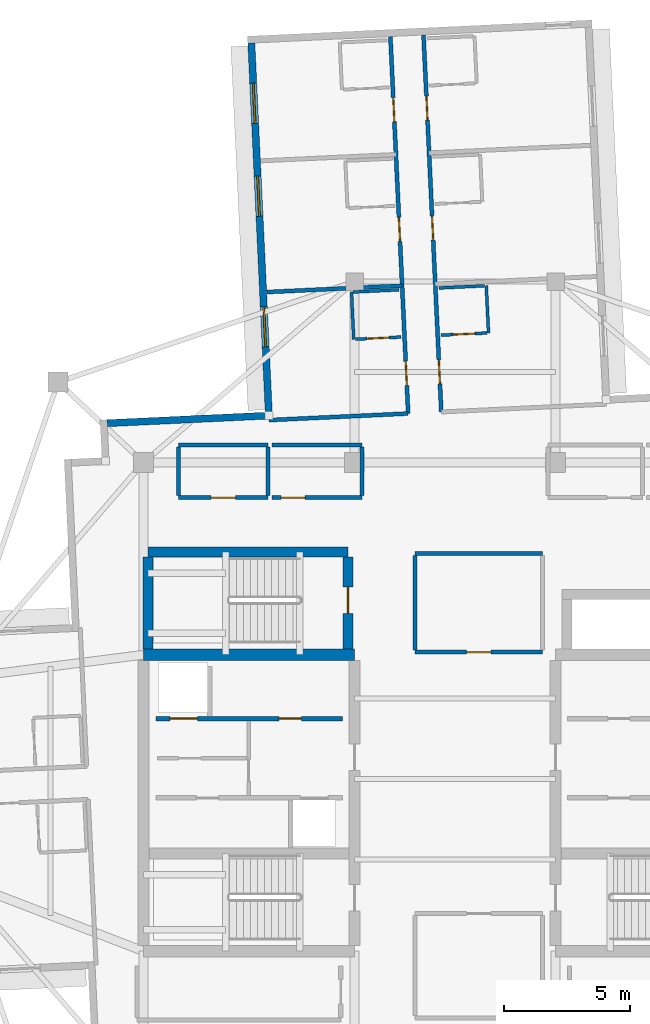
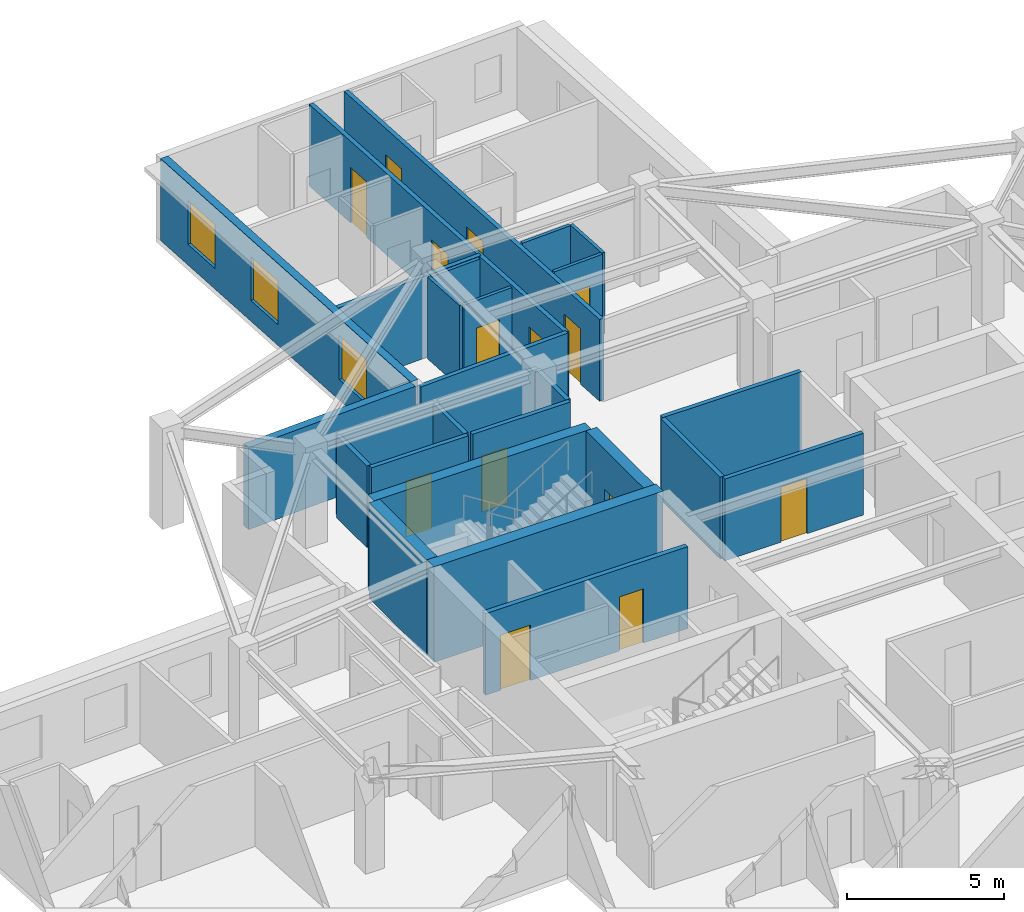
# One storey, part 7 of 13: 27 walls, 14 doors, 3 windows, 17 openings.
"""IFC4 building model written with IfcOpenShell, lengths in metres."""

from ifc_helpers import new_model, si_unit, direction, frame, frame_2d, origin, place, context, subcontext, project, spatial, rectangle, extrude, material, layer, layer_set, type_object, element, fill, save


model = new_model("IFC4")

# Units and contexts
model_context = context("Model", 3, precision=1e-05, world=origin(), true_north=direction((0.0, 1.0)))
body_context = subcontext(model_context, "Body", "Model", "MODEL_VIEW")
ifc_project = project(units=[si_unit("LENGTHUNIT", "METRE"), si_unit("AREAUNIT", "SQUARE_METRE"), si_unit("VOLUMEUNIT", "CUBIC_METRE"), si_unit("PLANEANGLEUNIT", "RADIAN"), si_unit("MASSUNIT", "GRAM", prefix="KILO")], contexts=[model_context])

# Site, building, storey
site_placement = place(None, origin())
site = spatial("IfcSite", under=ifc_project, at=site_placement, CompositionType="ELEMENT")
building_placement = place(site_placement, origin())
building = spatial("IfcBuilding", under=site, at=building_placement, Name="Qingluan Cross Belvedere", CompositionType="ELEMENT")
storey_placement = place(building_placement, frame((0.0, 0.0, 277.199951171875)))
storey = spatial("IfcBuildingStorey", under=building, at=storey_placement, Name="L69", CompositionType="ELEMENT", Elevation=277.199951171875)

# Walls
ifc_material_1 = material(Name="Concrete C50", Category="concrete")
ifc_layer_1 = layer(ifc_material_1, 0.449951171875, Name="CoreShearWall_450")
ifc_layer_set_1 = layer_set([ifc_layer_1], Name="Concrete C50")
wall_type_1 = type_object("IfcWallType", Name="CoreShearWall_450", PredefinedType="SHEAR", material=ifc_layer_set_1)
wall_1_placement = place(storey_placement, frame((-12.39990234375, 4.949951171875, 0.0), z_axis=(0.0, 0.0, 1.0), x_axis=(1.0, 0.0, 0.0)))
element("IfcWall", 1, at=wall_1_placement, inside=storey, type_object=wall_type_1, Name="Split core W shear wall L69-N", PredefinedType="SHEAR", context=body_context, shape_type="SweptSolid", body=[
    extrude(rectangle(XDim=8.39990234375, YDim=0.449951171875, at=frame_2d((4.199951171875, 0.0))), origin(), (0.0, 0.0, 1.0), 3.699951171875),
])
wall_2_placement = place(storey_placement, frame((-12.219970703125, 9.0400390625, 0.0), z_axis=(0.0, 0.0, 1.0), x_axis=(1.0, 0.0, 0.0)))
element("IfcWall", 2, at=wall_2_placement, inside=storey, type_object=wall_type_1, Name="Stair ST3 structural wall N L69", PredefinedType="SHEAR", context=body_context, shape_type="SweptSolid", body=[
    extrude(rectangle(XDim=7.9599609375, YDim=0.39990234375, at=frame_2d((3.97998046875, 0.0))), origin(), (0.0, 0.0, 1.0), 3.699951171875),
])
wall_3_placement = place(storey_placement, frame((-12.219970703125, 5.179931640625, 0.0), z_axis=(0.0, 0.0, 1.0), x_axis=(0.0, 1.0, 0.0)))
element("IfcWall", 3, at=wall_3_placement, inside=storey, type_object=wall_type_1, Name="Stair ST3 structural wall W L69", PredefinedType="SHEAR", context=body_context, shape_type="SweptSolid", body=[
    extrude(rectangle(XDim=3.655029296875, YDim=0.39990234375, at=frame_2d((1.82763671875, 0.0))), origin(), (0.0, 0.0, 1.0), 3.699951171875),
])

# Wall, opening, door
wall_4_placement = place(storey_placement, frame((-4.260009765625, 5.179931640625, 0.0), z_axis=(0.0, 0.0, 1.0), x_axis=(0.0, 1.0, 0.0)))
wall_4 = element("IfcWall", 4, at=wall_4_placement, inside=storey, type_object=wall_type_1, Name="Stair ST3 structural wall E L69", PredefinedType="SHEAR", context=body_context, shape_type="SweptSolid", body=[
    extrude(rectangle(XDim=3.655029296875, YDim=0.39990234375, at=frame_2d((1.82763671875, 0.0))), origin(), (0.0, 0.0, 1.0), 3.699951171875),
])
opening_1_placement = place(wall_4_placement, frame((1.419921875, 0.0, 0.0)))
opening_1 = element("IfcOpeningElement", 5, at=opening_1_placement, cuts=wall_4, Name="Opening FD-B11", PredefinedType="OPENING", context=body_context, shape_type="SweptSolid", body=[
    extrude(rectangle(XDim=1.050048828125, YDim=2.14990234375, at=frame_2d((0.52490234375, 1.074951171875))), frame((0.0, 0.2099609375, 0.0), z_axis=(0.0, -1.0, 0.0), x_axis=(1.0, 0.0, 0.0)), (0.0, 0.0, 1.0), 0.419921875),
])
ifc_material_2 = material(Name="Steel Class B smoke-seal fire door", Category="steel")
door_type_1 = type_object("IfcDoorType", Name="StairLobbyFireDoor_FDB", OperationType="NOTDEFINED", PredefinedType="DOOR", material=ifc_material_2)
door_1_placement = place(opening_1_placement, origin())
door_1 = element("IfcDoor", 6, at=door_1_placement, inside=storey, type_object=door_type_1, Name="Smoke-proof stair ST3 fire door L69", OperationType="SINGLE_SWING_LEFT", OverallHeight=2.14990234375, OverallWidth=1.050048828125, PredefinedType="DOOR", context=body_context, shape_type="SweptSolid", body=[
    extrude(rectangle(XDim=1.050048828125, YDim=2.14990234375, at=frame_2d((0.52490234375, 1.074951171875))), frame((0.0, 0.02490234375, 0.0), z_axis=(0.0, -1.0, 0.0), x_axis=(1.0, 0.0, 0.0)), (0.0, 0.0, 1.0), 0.050048828125),
])
fill(opening_1, door_1)

ifc_material_3 = material(Name="Gypsum plasterboard on steel stud acoustic partition", Category="steel")
ifc_layer_2 = layer(ifc_material_3, 0.159912109375, Name="CorridorPartition_160")
ifc_layer_set_2 = layer_set([ifc_layer_2], Name="Gypsum plasterboard on steel stud acoustic partition")
wall_type_2 = type_object("IfcWallType", Name="CorridorPartition_160", PredefinedType="PARTITIONING", material=ifc_layer_set_2)
wall_5_placement = place(storey_placement, frame((-11.0, 11.199951171875, 0.0), z_axis=(0.0, 0.0, 1.0), x_axis=(1.0, 0.0, 0.0)))
wall_5 = element("IfcWall", 7, at=wall_5_placement, inside=storey, type_object=wall_type_2, Name="Partition L69:q_nw1:S", PredefinedType="PARTITIONING", context=body_context, shape_type="SweptSolid", body=[
    extrude(rectangle(XDim=3.550048828125, YDim=0.159912109375, at=frame_2d((1.77490234375, 0.0))), origin(), (0.0, 0.0, 1.0), 3.170166015625),
])
opening_2_placement = place(wall_5_placement, frame((1.294921875, 0.0, 0.0)))
opening_2 = element("IfcOpeningElement", 8, at=opening_2_placement, cuts=wall_5, Name="Opening GD-10", PredefinedType="OPENING", context=body_context, shape_type="SweptSolid", body=[
    extrude(rectangle(XDim=0.9599609375, YDim=2.14990234375, at=frame_2d((0.47998046875, 1.074951171875))), frame((0.0, 0.08984375, 0.0), z_axis=(0.0, -1.0, 0.0), x_axis=(1.0, 0.0, 0.0)), (0.0, 0.0, 1.0), 0.179931640625),
])
ifc_material_4 = material(Name="Timber oak fire-rated acoustic guestroom door", Category="wood")
door_type_2 = type_object("IfcDoorType", Name="GuestEntryDoor_FD60", OperationType="NOTDEFINED", PredefinedType="DOOR", material=ifc_material_4)
door_2_placement = place(opening_2_placement, origin())
door_2 = element("IfcDoor", 9, at=door_2_placement, inside=storey, type_object=door_type_2, Name="Northwest sky parlor L69 door", OperationType="SINGLE_SWING_RIGHT", OverallHeight=2.14990234375, OverallWidth=0.9599609375, PredefinedType="DOOR", context=body_context, shape_type="SweptSolid", body=[
    extrude(rectangle(XDim=0.9599609375, YDim=2.14990234375, at=frame_2d((0.47998046875, 1.074951171875))), frame((0.0, 0.02490234375, 0.0), z_axis=(0.0, -1.0, 0.0), x_axis=(1.0, 0.0, 0.0)), (0.0, 0.0, 1.0), 0.050048828125),
])
fill(opening_2, door_2)

# Walls
wall_6_placement = place(storey_placement, frame((-11.0, 13.300048828125, 0.0), z_axis=(0.0, 0.0, 1.0), x_axis=(1.0, 0.0, 0.0)))
element("IfcWall", 10, at=wall_6_placement, inside=storey, type_object=wall_type_2, Name="Partition L69:q_nw1:N", PredefinedType="PARTITIONING", context=body_context, shape_type="SweptSolid", body=[
    extrude(rectangle(XDim=3.550048828125, YDim=0.159912109375, at=frame_2d((1.77490234375, 0.0))), origin(), (0.0, 0.0, 1.0), 3.170166015625),
])
for number, where, z_axis, x_axis, name in (
    (11, (-11.0, 11.284912109375, 0.0), (0.0, 0.0, 1.0), (0.0, 1.0, 0.0), "Partition L69:q_nw1:W"),
    (12, (-7.449951171875, 11.284912109375, 0.0), (0.0, 0.0, 1.0), (0.0, 1.0, 0.0), "Partition L69:q_nw1:E"),
):
    element("IfcWall", number, at=place(storey_placement, frame(where, z_axis=z_axis, x_axis=x_axis)), inside=storey, type_object=wall_type_2, Name=name, PredefinedType="PARTITIONING", context=body_context, shape_type="SweptSolid", body=[
        extrude(rectangle(XDim=1.93017578125, YDim=0.159912109375, at=frame_2d((0.965087890625, 0.0))), origin(), (0.0, 0.0, 1.0), 3.170166015625),
    ])

# Wall, opening, door
wall_7_placement = place(storey_placement, frame((-7.2900390625, 11.199951171875, 0.0), z_axis=(0.0, 0.0, 1.0), x_axis=(1.0, 0.0, 0.0)))
wall_7 = element("IfcWall", 13, at=wall_7_placement, inside=storey, type_object=wall_type_2, Name="Partition L69:q_nw2:S", PredefinedType="PARTITIONING", context=body_context, shape_type="SweptSolid", body=[
    extrude(rectangle(XDim=3.590087890625, YDim=0.159912109375, at=frame_2d((1.794921875, 0.0))), origin(), (0.0, 0.0, 1.0), 3.170166015625),
])
opening_3_placement = place(wall_7_placement, frame((0.364990234375, 0.0, 0.0)))
opening_3 = element("IfcOpeningElement", 14, at=opening_3_placement, cuts=wall_7, Name="Opening GD-10", PredefinedType="OPENING", context=body_context, shape_type="SweptSolid", body=[
    extrude(rectangle(XDim=0.9599609375, YDim=2.14990234375, at=frame_2d((0.47998046875, 1.074951171875))), frame((0.0, 0.08984375, 0.0), z_axis=(0.0, -1.0, 0.0), x_axis=(1.0, 0.0, 0.0)), (0.0, 0.0, 1.0), 0.179931640625),
])
door_3_placement = place(opening_3_placement, origin())
door_3 = element("IfcDoor", 15, at=door_3_placement, inside=storey, type_object=door_type_2, Name="Northwest study salon L69 door", OperationType="SINGLE_SWING_LEFT", OverallHeight=2.14990234375, OverallWidth=0.9599609375, PredefinedType="DOOR", context=body_context, shape_type="SweptSolid", body=[
    extrude(rectangle(XDim=0.9599609375, YDim=2.14990234375, at=frame_2d((0.47998046875, 1.074951171875))), frame((0.0, 0.02490234375, 0.0), z_axis=(0.0, -1.0, 0.0), x_axis=(1.0, 0.0, 0.0)), (0.0, 0.0, 1.0), 0.050048828125),
])
fill(opening_3, door_3)

# Walls
wall_8_placement = place(storey_placement, frame((-7.2900390625, 13.300048828125, 0.0), z_axis=(0.0, 0.0, 1.0), x_axis=(1.0, 0.0, 0.0)))
element("IfcWall", 16, at=wall_8_placement, inside=storey, type_object=wall_type_2, Name="Partition L69:q_nw2:N", PredefinedType="PARTITIONING", context=body_context, shape_type="SweptSolid", body=[
    extrude(rectangle(XDim=3.590087890625, YDim=0.159912109375, at=frame_2d((1.794921875, 0.0))), origin(), (0.0, 0.0, 1.0), 3.170166015625),
])
wall_9_placement = place(storey_placement, frame((-3.699951171875, 11.284912109375, 0.0), z_axis=(0.0, 0.0, 1.0), x_axis=(0.0, 1.0, 0.0)))
element("IfcWall", 17, at=wall_9_placement, inside=storey, type_object=wall_type_2, Name="Partition L69:q_nw2:E", PredefinedType="PARTITIONING", context=body_context, shape_type="SweptSolid", body=[
    extrude(rectangle(XDim=1.93017578125, YDim=0.159912109375, at=frame_2d((0.965087890625, 0.0))), origin(), (0.0, 0.0, 1.0), 3.170166015625),
])

# Wall, opening, door
wall_10_placement = place(storey_placement, frame((-1.60009765625, 5.050048828125, 0.0), z_axis=(0.0, 0.0, 1.0), x_axis=(1.0, 0.0, 0.0)))
wall_10 = element("IfcWall", 18, at=wall_10_placement, inside=storey, type_object=wall_type_2, Name="Partition L69:sky_tea_alcove:S", PredefinedType="PARTITIONING", context=body_context, shape_type="SweptSolid", body=[
    extrude(rectangle(XDim=5.080078125, YDim=0.159912109375, at=frame_2d((2.5400390625, 0.0))), origin(), (0.0, 0.0, 1.0), 3.170166015625),
])
opening_4_placement = place(wall_10_placement, frame((2.06005859375, 0.0, 0.0)))
opening_4 = element("IfcOpeningElement", 19, at=opening_4_placement, cuts=wall_10, Name="Opening GD-10", PredefinedType="OPENING", context=body_context, shape_type="SweptSolid", body=[
    extrude(rectangle(XDim=0.9599609375, YDim=2.14990234375, at=frame_2d((0.47998046875, 1.074951171875))), frame((0.0, 0.08984375, 0.0), z_axis=(0.0, -1.0, 0.0), x_axis=(1.0, 0.0, 0.0)), (0.0, 0.0, 1.0), 0.179931640625),
])
door_4_placement = place(opening_4_placement, origin())
door_4 = element("IfcDoor", 20, at=door_4_placement, inside=storey, type_object=door_type_2, Name="Sky horizon tea salon L69 door", OperationType="SINGLE_SWING_LEFT", OverallHeight=2.14990234375, OverallWidth=0.9599609375, PredefinedType="DOOR", context=body_context, shape_type="SweptSolid", body=[
    extrude(rectangle(XDim=0.9599609375, YDim=2.14990234375, at=frame_2d((0.47998046875, 1.074951171875))), frame((0.0, 0.02490234375, 0.0), z_axis=(0.0, -1.0, 0.0), x_axis=(1.0, 0.0, 0.0)), (0.0, 0.0, 1.0), 0.050048828125),
])
fill(opening_4, door_4)

# Walls
wall_11_placement = place(storey_placement, frame((-1.60009765625, 8.97998046875, 0.0), z_axis=(0.0, 0.0, 1.0), x_axis=(1.0, 0.0, 0.0)))
element("IfcWall", 21, at=wall_11_placement, inside=storey, type_object=wall_type_2, Name="Partition L69:sky_tea_alcove:N", PredefinedType="PARTITIONING", context=body_context, shape_type="SweptSolid", body=[
    extrude(rectangle(XDim=5.080078125, YDim=0.159912109375, at=frame_2d((2.5400390625, 0.0))), origin(), (0.0, 0.0, 1.0), 3.170166015625),
])
wall_12_placement = place(storey_placement, frame((-1.60009765625, 5.135009765625, 0.0), z_axis=(0.0, 0.0, 1.0), x_axis=(0.0, 1.0, 0.0)))
element("IfcWall", 22, at=wall_12_placement, inside=storey, type_object=wall_type_2, Name="Partition L69:sky_tea_alcove:W", PredefinedType="PARTITIONING", context=body_context, shape_type="SweptSolid", body=[
    extrude(rectangle(XDim=3.760009765625, YDim=0.159912109375, at=frame_2d((1.8798828125, 0.0))), origin(), (0.0, 0.0, 1.0), 3.170166015625),
])

# Wall, openings, doors
wall_13_placement = place(storey_placement, frame((-0.548828125, 14.6103515625, 0.0), z_axis=(0.0, 0.0, 1.0), x_axis=(-0.047113901593, 0.998889523559, 0.0)))
wall_13 = element("IfcWall", 23, at=wall_13_placement, inside=storey, type_object=wall_type_2, Name="Partition L69:N:c0", PredefinedType="PARTITIONING", context=body_context, shape_type="SweptSolid", body=[
    extrude(rectangle(XDim=15.011962890625, YDim=0.159912109375, at=frame_2d((7.505859375, 0.0))), origin(), (0.0, 0.0, 1.0), 3.170166015625),
])
opening_5_placement = place(wall_13_placement, frame((1.1220703125, 0.0, 0.0)))
opening_5 = element("IfcOpeningElement", 24, at=opening_5_placement, cuts=wall_13, Name="Opening GD-10", PredefinedType="OPENING", context=body_context, shape_type="SweptSolid", body=[
    extrude(rectangle(XDim=0.9599609375, YDim=2.14990234375, at=frame_2d((0.47998046875, 1.074951171875))), frame((0.0, 0.08984375, 0.0), z_axis=(0.0, -1.0, 0.0), x_axis=(1.0, 0.0, 0.0)), (0.0, 0.0, 1.0), 0.179931640625),
])
opening_6_placement = place(wall_13_placement, frame((6.85791015625, 0.0, 0.0)))
opening_6 = element("IfcOpeningElement", 25, at=opening_6_placement, cuts=wall_13, Name="Opening GD-10", PredefinedType="OPENING", context=body_context, shape_type="SweptSolid", body=[
    extrude(rectangle(XDim=0.9599609375, YDim=2.14990234375, at=frame_2d((0.47998046875, 1.074951171875))), frame((0.0, 0.08984375, 0.0), z_axis=(0.0, -1.0, 0.0), x_axis=(1.0, 0.0, 0.0)), (0.0, 0.0, 1.0), 0.179931640625),
])
opening_7_placement = place(wall_13_placement, frame((11.6279296875, 0.0, 0.0)))
opening_7 = element("IfcOpeningElement", 26, at=opening_7_placement, cuts=wall_13, Name="Opening GD-10", PredefinedType="OPENING", context=body_context, shape_type="SweptSolid", body=[
    extrude(rectangle(XDim=0.9599609375, YDim=2.14990234375, at=frame_2d((0.47998046875, 1.074951171875))), frame((0.0, 0.08984375, 0.0), z_axis=(0.0, -1.0, 0.0), x_axis=(1.0, 0.0, 0.0)), (0.0, 0.0, 1.0), 0.179931640625),
])
door_5_placement = place(opening_5_placement, origin())
door_5 = element("IfcDoor", 27, at=door_5_placement, inside=storey, type_object=door_type_2, Name="Guest entry fire door 6909", OperationType="SINGLE_SWING_LEFT", OverallHeight=2.14990234375, OverallWidth=0.9599609375, PredefinedType="DOOR", context=body_context, shape_type="SweptSolid", body=[
    extrude(rectangle(XDim=0.9599609375, YDim=2.14990234375, at=frame_2d((0.47998046875, 1.074951171875))), frame((0.0, 0.02490234375, 0.0), z_axis=(0.0, -1.0, 0.0), x_axis=(1.0, 0.0, 0.0)), (0.0, 0.0, 1.0), 0.050048828125),
])
fill(opening_5, door_5)
door_6_placement = place(opening_6_placement, origin())
door_6 = element("IfcDoor", 28, at=door_6_placement, inside=storey, type_object=door_type_2, Name="Guest entry fire door 6910", OperationType="SINGLE_SWING_LEFT", OverallHeight=2.14990234375, OverallWidth=0.9599609375, PredefinedType="DOOR", context=body_context, shape_type="SweptSolid", body=[
    extrude(rectangle(XDim=0.9599609375, YDim=2.14990234375, at=frame_2d((0.47998046875, 1.074951171875))), frame((0.0, 0.02490234375, 0.0), z_axis=(0.0, -1.0, 0.0), x_axis=(1.0, 0.0, 0.0)), (0.0, 0.0, 1.0), 0.050048828125),
])
fill(opening_6, door_6)
door_7_placement = place(opening_7_placement, origin())
door_7 = element("IfcDoor", 29, at=door_7_placement, inside=storey, type_object=door_type_2, Name="Guest entry fire door 6911", OperationType="SINGLE_SWING_LEFT", OverallHeight=2.14990234375, OverallWidth=0.9599609375, PredefinedType="DOOR", context=body_context, shape_type="SweptSolid", body=[
    extrude(rectangle(XDim=0.9599609375, YDim=2.14990234375, at=frame_2d((0.47998046875, 1.074951171875))), frame((0.0, 0.02490234375, 0.0), z_axis=(0.0, -1.0, 0.0), x_axis=(1.0, 0.0, 0.0)), (0.0, 0.0, 1.0), 0.050048828125),
])
fill(opening_7, door_7)

wall_14_placement = place(storey_placement, frame((-1.867431640625, 14.548095703125, 0.0), z_axis=(0.0, 0.0, 1.0), x_axis=(-0.047097674677, 0.998890288791, 0.0)))
wall_14 = element("IfcWall", 30, at=wall_14_placement, inside=storey, type_object=wall_type_2, Name="Partition L69:N:c1", PredefinedType="PARTITIONING", context=body_context, shape_type="SweptSolid", body=[
    extrude(rectangle(XDim=15.011962890625, YDim=0.159912109375, at=frame_2d((7.505859375, 0.0))), origin(), (0.0, 0.0, 1.0), 3.170166015625),
])
opening_8_placement = place(wall_14_placement, frame((1.1220703125, 0.0, 0.0)))
opening_8 = element("IfcOpeningElement", 31, at=opening_8_placement, cuts=wall_14, Name="Opening GD-10", PredefinedType="OPENING", context=body_context, shape_type="SweptSolid", body=[
    extrude(rectangle(XDim=0.9599609375, YDim=2.14990234375, at=frame_2d((0.47998046875, 1.074951171875))), frame((0.0, 0.08984375, 0.0), z_axis=(0.0, -1.0, 0.0), x_axis=(1.0, 0.0, 0.0)), (0.0, 0.0, 1.0), 0.179931640625),
])
opening_9_placement = place(wall_14_placement, frame((6.85791015625, 0.0, 0.0)))
opening_9 = element("IfcOpeningElement", 32, at=opening_9_placement, cuts=wall_14, Name="Opening GD-10", PredefinedType="OPENING", context=body_context, shape_type="SweptSolid", body=[
    extrude(rectangle(XDim=0.9599609375, YDim=2.14990234375, at=frame_2d((0.47998046875, 1.074951171875))), frame((0.0, 0.08984375, 0.0), z_axis=(0.0, -1.0, 0.0), x_axis=(1.0, 0.0, 0.0)), (0.0, 0.0, 1.0), 0.179931640625),
])
opening_10_placement = place(wall_14_placement, frame((11.6279296875, 0.0, 0.0)))
opening_10 = element("IfcOpeningElement", 33, at=opening_10_placement, cuts=wall_14, Name="Opening GD-10", PredefinedType="OPENING", context=body_context, shape_type="SweptSolid", body=[
    extrude(rectangle(XDim=0.9599609375, YDim=2.14990234375, at=frame_2d((0.47998046875, 1.074951171875))), frame((0.0, 0.08984375, 0.0), z_axis=(0.0, -1.0, 0.0), x_axis=(1.0, 0.0, 0.0)), (0.0, 0.0, 1.0), 0.179931640625),
])
door_8_placement = place(opening_8_placement, origin())
door_8 = element("IfcDoor", 34, at=door_8_placement, inside=storey, type_object=door_type_2, Name="Guest entry fire door 6912", OperationType="SINGLE_SWING_LEFT", OverallHeight=2.14990234375, OverallWidth=0.9599609375, PredefinedType="DOOR", context=body_context, shape_type="SweptSolid", body=[
    extrude(rectangle(XDim=0.9599609375, YDim=2.14990234375, at=frame_2d((0.47998046875, 1.074951171875))), frame((0.0, 0.02490234375, 0.0), z_axis=(0.0, -1.0, 0.0), x_axis=(1.0, 0.0, 0.0)), (0.0, 0.0, 1.0), 0.050048828125),
])
fill(opening_8, door_8)
door_9_placement = place(opening_9_placement, origin())
door_9 = element("IfcDoor", 35, at=door_9_placement, inside=storey, type_object=door_type_2, Name="Guest entry fire door 6913", OperationType="SINGLE_SWING_LEFT", OverallHeight=2.14990234375, OverallWidth=0.9599609375, PredefinedType="DOOR", context=body_context, shape_type="SweptSolid", body=[
    extrude(rectangle(XDim=0.9599609375, YDim=2.14990234375, at=frame_2d((0.47998046875, 1.074951171875))), frame((0.0, 0.02490234375, 0.0), z_axis=(0.0, -1.0, 0.0), x_axis=(1.0, 0.0, 0.0)), (0.0, 0.0, 1.0), 0.050048828125),
])
fill(opening_9, door_9)
door_10_placement = place(opening_10_placement, origin())
door_10 = element("IfcDoor", 36, at=door_10_placement, inside=storey, type_object=door_type_2, Name="Guest entry fire door 6914", OperationType="SINGLE_SWING_LEFT", OverallHeight=2.14990234375, OverallWidth=0.9599609375, PredefinedType="DOOR", context=body_context, shape_type="SweptSolid", body=[
    extrude(rectangle(XDim=0.9599609375, YDim=2.14990234375, at=frame_2d((0.47998046875, 1.074951171875))), frame((0.0, 0.02490234375, 0.0), z_axis=(0.0, -1.0, 0.0), x_axis=(1.0, 0.0, 0.0)), (0.0, 0.0, 1.0), 0.050048828125),
])
fill(opening_10, door_10)

# Walls
wall_15_placement = place(storey_placement, frame((-1.867431640625, 14.548095703125, 0.0), z_axis=(0.0, 0.0, 1.0), x_axis=(-0.998889670542, -0.047110785221, 0.0)))
element("IfcWall", 37, at=wall_15_placement, inside=storey, type_object=wall_type_2, Name="Partition L69:N:s1", PredefinedType="PARTITIONING", context=body_context, shape_type="SweptSolid", body=[
    extrude(rectangle(XDim=5.539794921875, YDim=0.159912109375, at=frame_2d((2.77001953125, 0.0))), origin(), (0.0, 0.0, 1.0), 3.170166015625),
])
wall_16_placement = place(storey_placement, frame((-2.107421875, 19.636474609375, 0.0), z_axis=(0.0, 0.0, 1.0), x_axis=(-0.99889066387, -0.04708971898, 0.0)))
element("IfcWall", 38, at=wall_16_placement, inside=storey, type_object=wall_type_2, Name="Partition L69:N:d1_0", PredefinedType="PARTITIONING", context=body_context, shape_type="SweptSolid", body=[
    extrude(rectangle(XDim=5.39208984375, YDim=0.159912109375, at=frame_2d((2.696044921875, 0.0))), origin(), (0.0, 0.0, 1.0), 3.170166015625),
])

# Wall, opening, door
ifc_material_5 = material(Name="Moisture-resistant gypsum board lining")
ifc_layer_3 = layer(ifc_material_5, 0.1201171875, Name="EnsuiteWetPartition_120")
ifc_layer_set_3 = layer_set([ifc_layer_3], Name="Moisture-resistant gypsum board lining")
wall_type_3 = type_object("IfcWallType", Name="EnsuiteWetPartition_120", PredefinedType="PARTITIONING", material=ifc_layer_set_3)
wall_17_placement = place(storey_placement, frame((-0.552978515625, 17.66748046875, 0.0), z_axis=(0.0, 0.0, 1.0), x_axis=(0.998884766924, 0.047214641863, 0.0)))
wall_17 = element("IfcWall", 39, at=wall_17_placement, inside=storey, type_object=wall_type_3, Name="Partition L69:N:bs0_0", PredefinedType="PARTITIONING", context=body_context, shape_type="SweptSolid", body=[
    extrude(rectangle(XDim=1.820068359375, YDim=0.1201171875, at=frame_2d((0.91015625, 0.0))), origin(), (0.0, 0.0, 1.0), 3.170166015625),
])
opening_11_placement = place(wall_17_placement, frame((0.469970703125, 0.0, 0.0)))
opening_11 = element("IfcOpeningElement", 40, at=opening_11_placement, cuts=wall_17, Name="Opening BD-09", PredefinedType="OPENING", context=body_context, shape_type="SweptSolid", body=[
    extrude(rectangle(XDim=0.8798828125, YDim=2.10009765625, at=frame_2d((0.43994140625, 1.050048828125))), frame((0.0, 0.070068359375, 0.0), z_axis=(0.0, -1.0, 0.0), x_axis=(1.0, 0.0, 0.0)), (0.0, 0.0, 1.0), 0.14013671875),
])
ifc_material_6 = material(Name="Moisture-sealed timber en-suite door", Category="wood")
door_type_3 = type_object("IfcDoorType", Name="BathroomDoor_880", OperationType="NOTDEFINED", PredefinedType="DOOR", material=ifc_material_6)
door_11_placement = place(opening_11_placement, origin())
door_11 = element("IfcDoor", 41, at=door_11_placement, inside=storey, type_object=door_type_3, Name="Bathroom door 6909", OperationType="SINGLE_SWING_RIGHT", OverallHeight=2.10009765625, OverallWidth=0.8798828125, PredefinedType="DOOR", context=body_context, shape_type="SweptSolid", body=[
    extrude(rectangle(XDim=0.8798828125, YDim=2.10009765625, at=frame_2d((0.43994140625, 1.050048828125))), frame((0.0, 0.02490234375, 0.0), z_axis=(0.0, -1.0, 0.0), x_axis=(1.0, 0.0, 0.0)), (0.0, 0.0, 1.0), 0.050048828125),
])
fill(opening_11, door_11)

# Walls
wall_18_placement = place(storey_placement, frame((-0.641357421875, 19.54541015625, 0.0), z_axis=(0.0, 0.0, 1.0), x_axis=(0.998890786574, 0.047087116047, 0.0)))
element("IfcWall", 42, at=wall_18_placement, inside=storey, type_object=wall_type_3, Name="Partition L69:N:bw0_0", PredefinedType="PARTITIONING", context=body_context, shape_type="SweptSolid", body=[
    extrude(rectangle(XDim=1.81982421875, YDim=0.1201171875, at=frame_2d((0.909912109375, 0.0))), origin(), (0.0, 0.0, 1.0), 3.170166015625),
])
wall_19_placement = place(storey_placement, frame((1.330078125, 17.75634765625, 0.0), z_axis=(0.0, 0.0, 1.0), x_axis=(-0.047139425368, 0.998888319371, 0.0)))
element("IfcWall", 43, at=wall_19_placement, inside=storey, type_object=wall_type_3, Name="Partition L69:N:bn0_0", PredefinedType="PARTITIONING", context=body_context, shape_type="SweptSolid", body=[
    extrude(rectangle(XDim=1.880126953125, YDim=0.1201171875, at=frame_2d((0.93994140625, 0.0))), origin(), (0.0, 0.0, 1.0), 3.170166015625),
])

# Wall, opening, door
wall_20_placement = place(storey_placement, frame((-3.968994140625, 17.506591796875, 0.0), z_axis=(0.0, 0.0, 1.0), x_axis=(0.998890786574, 0.047087116047, 0.0)))
wall_20 = element("IfcWall", 44, at=wall_20_placement, inside=storey, type_object=wall_type_3, Name="Partition L69:N:bs1_0", PredefinedType="PARTITIONING", context=body_context, shape_type="SweptSolid", body=[
    extrude(rectangle(XDim=1.81982421875, YDim=0.1201171875, at=frame_2d((0.909912109375, 0.0))), origin(), (0.0, 0.0, 1.0), 3.170166015625),
])
opening_12_placement = place(wall_20_placement, frame((0.469970703125, 0.0, 0.0)))
opening_12 = element("IfcOpeningElement", 45, at=opening_12_placement, cuts=wall_20, Name="Opening BD-09", PredefinedType="OPENING", context=body_context, shape_type="SweptSolid", body=[
    extrude(rectangle(XDim=0.8798828125, YDim=2.10009765625, at=frame_2d((0.43994140625, 1.050048828125))), frame((0.0, 0.070068359375, 0.0), z_axis=(0.0, -1.0, 0.0), x_axis=(1.0, 0.0, 0.0)), (0.0, 0.0, 1.0), 0.14013671875),
])
door_12_placement = place(opening_12_placement, origin())
door_12 = element("IfcDoor", 46, at=door_12_placement, inside=storey, type_object=door_type_3, Name="Bathroom door 6912", OperationType="SINGLE_SWING_RIGHT", OverallHeight=2.10009765625, OverallWidth=0.8798828125, PredefinedType="DOOR", context=body_context, shape_type="SweptSolid", body=[
    extrude(rectangle(XDim=0.8798828125, YDim=2.10009765625, at=frame_2d((0.43994140625, 1.050048828125))), frame((0.0, 0.02490234375, 0.0), z_axis=(0.0, -1.0, 0.0), x_axis=(1.0, 0.0, 0.0)), (0.0, 0.0, 1.0), 0.050048828125),
])
fill(opening_12, door_12)

# Walls
wall_21_placement = place(storey_placement, frame((-4.0576171875, 19.384521484375, 0.0), z_axis=(0.0, 0.0, 1.0), x_axis=(0.998890786574, 0.047087116047, 0.0)))
element("IfcWall", 47, at=wall_21_placement, inside=storey, type_object=wall_type_3, Name="Partition L69:N:bw1_0", PredefinedType="PARTITIONING", context=body_context, shape_type="SweptSolid", body=[
    extrude(rectangle(XDim=1.81982421875, YDim=0.1201171875, at=frame_2d((0.909912109375, 0.0))), origin(), (0.0, 0.0, 1.0), 3.170166015625),
])
wall_22_placement = place(storey_placement, frame((-4.033935546875, 17.50341796875, 0.0), z_axis=(0.0, 0.0, 1.0), x_axis=(-0.047139425368, 0.998888319371, 0.0)))
element("IfcWall", 48, at=wall_22_placement, inside=storey, type_object=wall_type_3, Name="Partition L69:N:bc1_0", PredefinedType="PARTITIONING", context=body_context, shape_type="SweptSolid", body=[
    extrude(rectangle(XDim=1.880126953125, YDim=0.1201171875, at=frame_2d((0.93994140625, 0.0))), origin(), (0.0, 0.0, 1.0), 3.170166015625),
])

# Wall, openings, windows
ifc_material_7 = material(Name="Precast concrete C45", Category="concrete")
ifc_layer_4 = layer(ifc_material_7, 0.280029296875, Name="PrecastFacadeWall_280")
ifc_layer_set_4 = layer_set([ifc_layer_4], Name="Precast concrete C45")
wall_type_4 = type_object("IfcWallType", Name="PrecastFacadeWall_280", PredefinedType="STANDARD", material=ifc_layer_set_4)
wall_23_placement = place(storey_placement, frame((-8.10888671875, 29.29052734375, 0.0), z_axis=(0.0, 0.0, 1.0), x_axis=(0.047117735191, -0.998889342735, 0.0)))
wall_23 = element("IfcWall", 49, at=wall_23_placement, inside=storey, type_object=wall_type_4, Name="Facade wall L69-NB", PredefinedType="STANDARD", context=body_context, shape_type="SweptSolid", body=[
    extrude(rectangle(XDim=14.699951171875, YDim=0.280029296875, at=frame_2d((7.35009765625, 0.0))), origin(), (0.0, 0.0, 1.0), 3.179931640625),
])
opening_13_placement = place(wall_23_placement, frame((1.60009765625, 0.0, 0.800048828125)))
opening_13 = element("IfcOpeningElement", 50, at=opening_13_placement, cuts=wall_23, Name="Opening W-04", PredefinedType="OPENING", context=body_context, shape_type="SweptSolid", body=[
    extrude(rectangle(XDim=1.60009765625, YDim=1.699951171875, at=frame_2d((0.800048828125, 0.85009765625))), frame((0.0, 0.14990234375, 0.0), z_axis=(0.0, -1.0, 0.0), x_axis=(1.0, 0.0, 0.0)), (0.0, 0.0, 1.0), 0.300048828125),
])
opening_14_placement = place(wall_23_placement, frame((5.300048828125, 0.0, 0.800048828125)))
opening_14 = element("IfcOpeningElement", 51, at=opening_14_placement, cuts=wall_23, Name="Opening W-04", PredefinedType="OPENING", context=body_context, shape_type="SweptSolid", body=[
    extrude(rectangle(XDim=1.60009765625, YDim=1.699951171875, at=frame_2d((0.800048828125, 0.85009765625))), frame((0.0, 0.14990234375, 0.0), z_axis=(0.0, -1.0, 0.0), x_axis=(1.0, 0.0, 0.0)), (0.0, 0.0, 1.0), 0.300048828125),
])
opening_15_placement = place(wall_23_placement, frame((10.5, 0.0, 0.800048828125)))
opening_15 = element("IfcOpeningElement", 52, at=opening_15_placement, cuts=wall_23, Name="Opening W-04", PredefinedType="OPENING", context=body_context, shape_type="SweptSolid", body=[
    extrude(rectangle(XDim=1.60009765625, YDim=1.699951171875, at=frame_2d((0.800048828125, 0.85009765625))), frame((0.0, 0.14990234375, 0.0), z_axis=(0.0, -1.0, 0.0), x_axis=(1.0, 0.0, 0.0)), (0.0, 0.0, 1.0), 0.300048828125),
])
ifc_material_8 = material(Name="Thermally broken triple Low-E glass in aluminium frame", Category="aluminium")
window_type = type_object("IfcWindowType", Name="SuiteCornerWin_1600x1700", PartitioningType="SINGLE_PANEL", PredefinedType="WINDOW", material=ifc_material_8)
window_1_placement = place(opening_13_placement, origin())
window_1 = element("IfcWindow", 53, at=window_1_placement, inside=storey, type_object=window_type, Name="Ribbon window L69-NB-1", OverallHeight=1.699951171875, OverallWidth=1.60009765625, PartitioningType="SINGLE_PANEL", PredefinedType="WINDOW", context=body_context, shape_type="SweptSolid", body=[
    extrude(rectangle(XDim=1.60009765625, YDim=1.699951171875, at=frame_2d((0.800048828125, 0.85009765625))), frame((0.0, 0.030029296875, 0.0), z_axis=(0.0, -1.0, 0.0), x_axis=(1.0, 0.0, 0.0)), (0.0, 0.0, 1.0), 0.06005859375),
])
fill(opening_13, window_1)
window_2_placement = place(opening_14_placement, origin())
window_2 = element("IfcWindow", 54, at=window_2_placement, inside=storey, type_object=window_type, Name="Ribbon window L69-NB-2", OverallHeight=1.699951171875, OverallWidth=1.60009765625, PartitioningType="SINGLE_PANEL", PredefinedType="WINDOW", context=body_context, shape_type="SweptSolid", body=[
    extrude(rectangle(XDim=1.60009765625, YDim=1.699951171875, at=frame_2d((0.800048828125, 0.85009765625))), frame((0.0, 0.030029296875, 0.0), z_axis=(0.0, -1.0, 0.0), x_axis=(1.0, 0.0, 0.0)), (0.0, 0.0, 1.0), 0.06005859375),
])
fill(opening_14, window_2)
window_3_placement = place(opening_15_placement, origin())
window_3 = element("IfcWindow", 55, at=window_3_placement, inside=storey, type_object=window_type, Name="Ribbon window L69-NB-3", OverallHeight=1.699951171875, OverallWidth=1.60009765625, PartitioningType="SINGLE_PANEL", PredefinedType="WINDOW", context=body_context, shape_type="SweptSolid", body=[
    extrude(rectangle(XDim=1.60009765625, YDim=1.699951171875, at=frame_2d((0.800048828125, 0.85009765625))), frame((0.0, 0.030029296875, 0.0), z_axis=(0.0, -1.0, 0.0), x_axis=(1.0, 0.0, 0.0)), (0.0, 0.0, 1.0), 0.06005859375),
])
fill(opening_15, window_3)

# Wall
wall_24_placement = place(storey_placement, frame((-13.842529296875, 14.16357421875, 0.0), z_axis=(0.0, 0.0, 1.0), x_axis=(0.998889082162, 0.047123258997, 0.0)))
element("IfcWall", 56, at=wall_24_placement, inside=storey, type_object=wall_type_4, Name="Corner wall L69-NW4", PredefinedType="STANDARD", context=body_context, shape_type="SweptSolid", body=[
    extrude(rectangle(XDim=6.300048828125, YDim=0.280029296875, at=frame_2d((3.14990234375, 0.0))), origin(), (0.0, 0.0, 1.0), 3.179931640625),
])

# Wall, openings, doors
ifc_material_9 = material(Name="Concrete C40", Category="concrete")
ifc_layer_5 = layer(ifc_material_9, 0.219970703125, Name="ShaftEnclosureWall_250")
ifc_layer_set_5 = layer_set([ifc_layer_5], Name="Concrete C40")
wall_type_5 = type_object("IfcWallType", Name="ShaftEnclosureWall_250", PredefinedType="SOLIDWALL", material=ifc_layer_set_5)
wall_25_placement = place(storey_placement, frame((-11.89990234375, 2.409912109375, 0.0), z_axis=(0.0, 0.0, 1.0), x_axis=(1.0, 0.0, 0.0)))
wall_25 = element("IfcWall", 57, at=wall_25_placement, inside=storey, type_object=wall_type_5, Name="Core-W north hoistway wall L69", PredefinedType="SOLIDWALL", context=body_context, shape_type="SweptSolid", body=[
    extrude(rectangle(XDim=7.419921875, YDim=0.179931640625, at=frame_2d((3.7099609375, 0.0))), origin(), (0.0, 0.0, 1.0), 3.170166015625),
])
opening_16_placement = place(wall_25_placement, frame((0.550048828125, 0.0, 0.0)))
opening_16 = element("IfcOpeningElement", 58, at=opening_16_placement, cuts=wall_25, Name="Opening LD-11", PredefinedType="OPENING", context=body_context, shape_type="SweptSolid", body=[
    extrude(rectangle(XDim=1.10009765625, YDim=2.14990234375, at=frame_2d((0.550048828125, 1.074951171875))), frame((0.0, 0.099853515625, 0.0), z_axis=(0.0, -1.0, 0.0), x_axis=(1.0, 0.0, 0.0)), (0.0, 0.0, 1.0), 0.199951171875),
])
opening_17_placement = place(wall_25_placement, frame((4.89990234375, 0.0, 0.0)))
opening_17 = element("IfcOpeningElement", 59, at=opening_17_placement, cuts=wall_25, Name="Opening FD-B10", PredefinedType="OPENING", context=body_context, shape_type="SweptSolid", body=[
    extrude(rectangle(XDim=0.8798828125, YDim=2.10009765625, at=frame_2d((0.43994140625, 1.050048828125))), frame((0.0, 0.099853515625, 0.0), z_axis=(0.0, -1.0, 0.0), x_axis=(1.0, 0.0, 0.0)), (0.0, 0.0, 1.0), 0.199951171875),
])
ifc_material_10 = material(Name="Brushed stainless steel centre-opening lift landing door", Category="steel")
door_type_4 = type_object("IfcDoorType", Name="LiftLandingSlidingDoor_1100", OperationType="DOUBLE_DOOR_SLIDING", PredefinedType="DOOR", material=ifc_material_10)
door_13_placement = place(opening_16_placement, origin())
door_13 = element("IfcDoor", 60, at=door_13_placement, inside=storey, type_object=door_type_4, Name="Lift landing sliding door FL1 L69", OperationType="DOUBLE_DOOR_SLIDING", OverallHeight=2.14990234375, OverallWidth=1.10009765625, PredefinedType="DOOR", context=body_context, shape_type="SweptSolid", body=[
    extrude(rectangle(XDim=1.10009765625, YDim=2.14990234375, at=frame_2d((0.550048828125, 1.074951171875))), frame((0.0, 0.02490234375, 0.0), z_axis=(0.0, -1.0, 0.0), x_axis=(1.0, 0.0, 0.0)), (0.0, 0.0, 1.0), 0.050048828125),
])
fill(opening_16, door_13)
ifc_material_11 = material(Name="Steel Class B service fire door", Category="steel")
door_type_5 = type_object("IfcDoorType", Name="RiserServiceFireDoor_FDB", OperationType="NOTDEFINED", PredefinedType="DOOR", material=ifc_material_11)
door_14_placement = place(opening_17_placement, origin())
door_14 = element("IfcDoor", 61, at=door_14_placement, inside=storey, type_object=door_type_5, Name="Housekeeping supply room door W L69", OperationType="SINGLE_SWING_RIGHT", OverallHeight=2.10009765625, OverallWidth=0.8798828125, PredefinedType="DOOR", context=body_context, shape_type="SweptSolid", body=[
    extrude(rectangle(XDim=0.8798828125, YDim=2.10009765625, at=frame_2d((0.43994140625, 1.050048828125))), frame((0.0, 0.02490234375, 0.0), z_axis=(0.0, -1.0, 0.0), x_axis=(1.0, 0.0, 0.0)), (0.0, 0.0, 1.0), 0.050048828125),
])
fill(opening_17, door_14)

save(model, "model.ifc")
